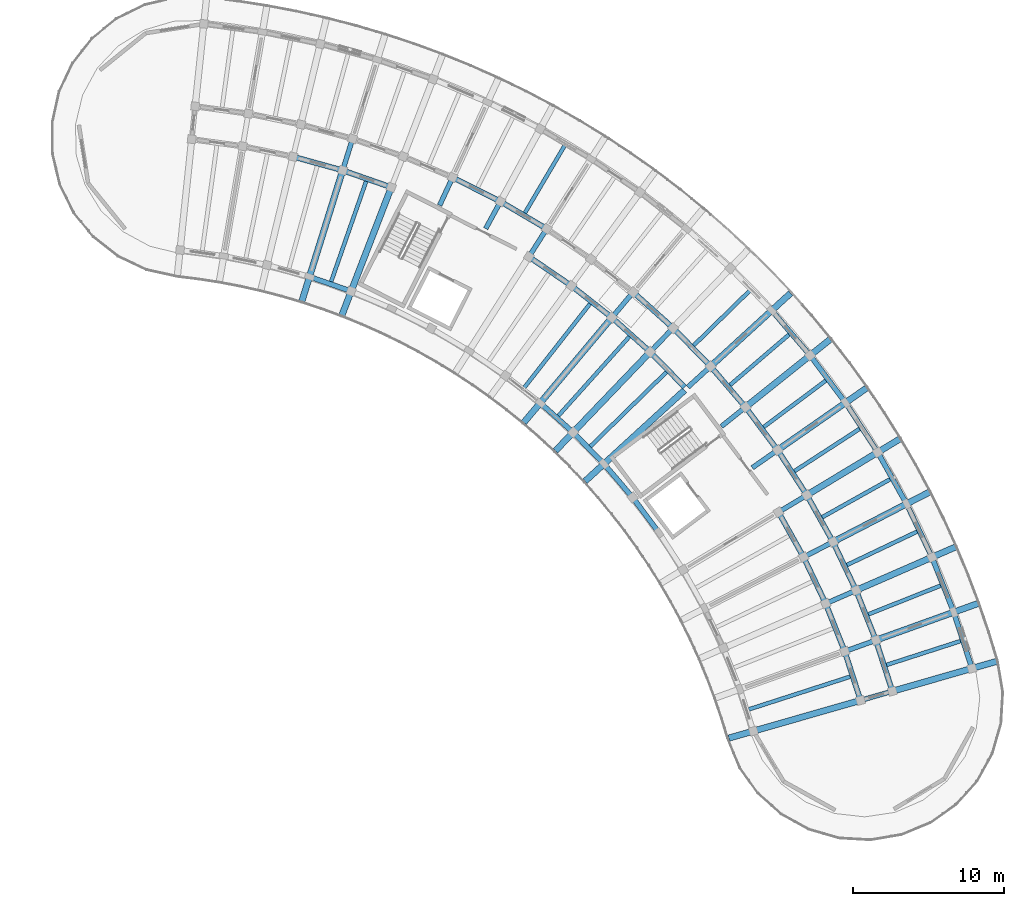
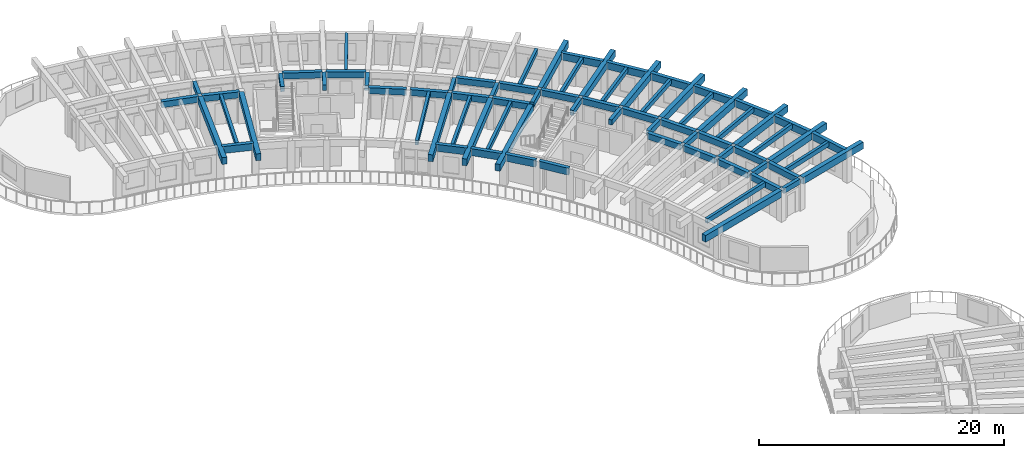
# One storey, part 16 of 69: 75 beams.
"""IFC4 building model written with IfcOpenShell, lengths in metres."""

from ifc_helpers import new_model, si_unit, direction, frame, origin, origin_2d, place, context, subcontext, project, spatial, rectangle, extrude, material, material_profile, profile_set, type_object, element, save


model = new_model("IFC4")

# Units and contexts
model_context = context("Model", 3, precision=1e-05, world=origin(), true_north=direction((0.0, 1.0)))
body_context = subcontext(model_context, "Body", "Model", "MODEL_VIEW")
ifc_project = project(units=[si_unit("LENGTHUNIT", "METRE"), si_unit("AREAUNIT", "SQUARE_METRE"), si_unit("VOLUMEUNIT", "CUBIC_METRE"), si_unit("PLANEANGLEUNIT", "RADIAN"), si_unit("MASSUNIT", "GRAM", prefix="KILO")], contexts=[model_context])

# Site, building, storey
site_placement = place(None, origin())
site = spatial("IfcSite", under=ifc_project, at=site_placement, CompositionType="ELEMENT")
building_placement = place(site_placement, origin())
building = spatial("IfcBuilding", under=site, at=building_placement, Name="Tanwirah Colonnade Gardens", CompositionType="ELEMENT")
storey_placement = place(building_placement, frame((0.0, 0.0, 15.56005859375)))
storey = spatial("IfcBuildingStorey", under=building, at=storey_placement, Name="L04", CompositionType="ELEMENT", Elevation=15.56005859375)

# Beams
ifc_material_1 = material(Name="Precast concrete C40/50", Category="concrete")
ifc_material_profile_1 = material_profile(ifc_material_1, rectangle(XDim=0.320068359375, YDim=0.52001953125, at=origin_2d()), Name="PC-BM 320x520")
ifc_profile_set_1 = profile_set([ifc_material_profile_1], Name="Precast concrete C40/50")
beam_type_1 = type_object("IfcBeamType", Name="BM-PC320", PredefinedType="BEAM", material=ifc_profile_set_1)
for number, where, z_axis, x_axis, name in (
    (1, (170.985595703125, 74.533203125, 2.849853515625), (0.961266538157, 0.275620468433, 0.0), (-0.275620468433, 0.961266538157, 0.0), "Block B L04 Corridor Tie Beam 0"),
    (2, (169.9326171875, 77.79541015625, 2.849853515625), (0.941021664552, 0.338346311999, 0.0), (-0.338346311999, 0.941021664552, 0.0), "Block B L04 Corridor Tie Beam 1"),
    (3, (168.6669921875, 80.981201171875, 2.849853515625), (0.916681481826, 0.399618644306, 0.0), (-0.399618644306, 0.916681481826, 0.0), "Block B L04 Corridor Tie Beam 2"),
):
    element("IfcBeam", number, at=place(storey_placement, frame(where, z_axis=z_axis, x_axis=x_axis)), inside=storey, type_object=beam_type_1, Name=name, PredefinedType="BEAM", context=body_context, shape_type="SweptSolid", body=[
        extrude(rectangle(XDim=0.320068359375, YDim=0.52001953125, at=origin_2d()), origin(), (0.0, 0.0, 1.0), 1.89990234375),
    ])
beam_1_placement = place(storey_placement, frame((167.194091796875, 84.07666015625, 2.849853515625), z_axis=(0.888385730697, 0.459097803844, 0.0), x_axis=(-0.459097803844, 0.888385730697, 0.0)))
element("IfcBeam", 4, at=beam_1_placement, inside=storey, type_object=beam_type_1, Name="Block B L04 Corridor Tie Beam 3", PredefinedType="BEAM", context=body_context, shape_type="SweptSolid", body=[
    extrude(rectangle(XDim=0.320068359375, YDim=0.52001953125, at=origin_2d()), origin(), (0.0, 0.0, 1.0), 1.900146484375),
])
for number, where, z_axis, x_axis, name in (
    (5, (165.520751953125, 87.068359375, 2.849853515625), (0.856174920318, 0.516686080534, 0.0), (-0.516686080534, 0.856174920318, 0.0), "Block B L04 Corridor Tie Beam 4"),
    (6, (163.653564453125, 89.943359375, 2.849853515625), (0.820305001782, 0.571926309983, 0.0), (-0.571926309983, 0.820305001782, 0.0), "Block B L04 Corridor Tie Beam 5"),
    (7, (161.601318359375, 92.68896484375, 2.849853515625), (0.78073089418, 0.624867402633, 0.0), (-0.624867402633, 0.78073089418, 0.0), "Block B L04 Corridor Tie Beam 6"),
    (8, (159.37255859375, 95.29345703125, 2.849853515625), (0.737948361517, 0.674857181732, 0.0), (-0.674857181732, 0.737948361517, 0.0), "Block B L04 Corridor Tie Beam 7"),
):
    element("IfcBeam", number, at=place(storey_placement, frame(where, z_axis=z_axis, x_axis=x_axis)), inside=storey, type_object=beam_type_1, Name=name, PredefinedType="BEAM", context=body_context, shape_type="SweptSolid", body=[
        extrude(rectangle(XDim=0.320068359375, YDim=0.52001953125, at=origin_2d()), origin(), (0.0, 0.0, 1.0), 1.89990234375),
    ])
beam_2_placement = place(storey_placement, frame((156.976806640625, 97.74560546875, 2.849853515625), z_axis=(0.691913735329, 0.721980181766, 0.0), x_axis=(-0.721980181766, 0.691913735329, 0.0)))
element("IfcBeam", 9, at=beam_2_placement, inside=storey, type_object=beam_type_1, Name="Block B L04 Corridor Tie Beam 8", PredefinedType="BEAM", context=body_context, shape_type="SweptSolid", body=[
    extrude(rectangle(XDim=0.320068359375, YDim=0.52001953125, at=origin_2d()), origin(), (0.0, 0.0, 1.0), 1.900146484375),
])
for number, where, z_axis, x_axis, name in (
    (10, (154.425048828125, 100.034423828125, 2.849853515625), (0.642797194343, 0.766036400535, 0.0), (-0.766036400535, 0.642797194343, 0.0), "Block B L04 Corridor Tie Beam 9"),
    (11, (148.89697265625, 104.08349609375, 2.849853515625), (0.536509579595, 0.843894229749, 0.0), (-0.843894229749, 0.536509579595, 0.0), "Block B L04 Corridor Tie Beam 11"),
    (12, (145.945068359375, 105.826171875, 2.849853515625), (0.479707235792, 0.877428611301, 0.0), (-0.877428611301, 0.479707235792, 0.0), "Block B L04 Corridor Tie Beam 12"),
    (13, (142.884765625, 107.37060546875, 2.849853515625), (0.420858322681, 0.90712638162, 0.0), (-0.90712638162, 0.420858322681, 0.0), "Block B L04 Corridor Tie Beam 13"),
    (14, (136.492431640625, 109.838623046875, 2.849853515625), (0.297857918398, 0.954610213882, 0.0), (-0.954610213882, 0.297857918398, 0.0), "Block B L04 Corridor Tie Beam 15"),
):
    element("IfcBeam", number, at=place(storey_placement, frame(where, z_axis=z_axis, x_axis=x_axis)), inside=storey, type_object=beam_type_1, Name=name, PredefinedType="BEAM", context=body_context, shape_type="SweptSolid", body=[
        extrude(rectangle(XDim=0.320068359375, YDim=0.52001953125, at=origin_2d()), origin(), (0.0, 0.0, 1.0), 1.89990234375),
    ])
ifc_material_profile_2 = material_profile(ifc_material_1, rectangle(XDim=0.35009765625, YDim=0.60009765625, at=origin_2d()), Name="PC-BM 350x600")
ifc_profile_set_2 = profile_set([ifc_material_profile_2], Name="Precast concrete C40/50")
beam_type_2 = type_object("IfcBeamType", Name="BM-PC350B", PredefinedType="BEAM", material=ifc_profile_set_2)
beam_3_placement = place(storey_placement, frame((170.79541015625, 74.634521484375, 2.81005859375), z_axis=(-0.307169780148, 0.951654730542, 0.0), x_axis=(-0.951654730542, -0.307169780148, 0.0)))
element("IfcBeam", 15, at=beam_3_placement, inside=storey, type_object=beam_type_2, Name="Block B L04 Circumferential Beam 0-R1", PredefinedType="BEAM", context=body_context, shape_type="SweptSolid", body=[
    extrude(rectangle(XDim=0.35009765625, YDim=0.60009765625, at=origin_2d()), origin(), (0.0, 0.0, 1.0), 3.117919921875),
])
beam_4_placement = place(storey_placement, frame((172.91015625, 75.240966796875, 2.81005859375), z_axis=(-0.307212636327, 0.9516408966, 0.0), x_axis=(-0.9516408966, -0.307212636327, 0.0)))
element("IfcBeam", 16, at=beam_4_placement, inside=storey, type_object=beam_type_2, Name="Block B L04 Circumferential Beam 0-R2", PredefinedType="BEAM", context=body_context, shape_type="SweptSolid", body=[
    extrude(rectangle(XDim=0.35009765625, YDim=0.60009765625, at=origin_2d()), origin(), (0.0, 0.0, 1.0), 3.262939453125),
])
beam_5_placement = place(storey_placement, frame((169.736083984375, 77.884033203125, 2.81005859375), z_axis=(-0.369189105832, 0.929354294193, 0.0), x_axis=(-0.929354294193, -0.369189105832, 0.0)))
element("IfcBeam", 17, at=beam_5_placement, inside=storey, type_object=beam_type_2, Name="Block B L04 Circumferential Beam 1-R1", PredefinedType="BEAM", context=body_context, shape_type="SweptSolid", body=[
    extrude(rectangle(XDim=0.35009765625, YDim=0.60009765625, at=origin_2d()), origin(), (0.0, 0.0, 1.0), 3.117919921875),
])
beam_6_placement = place(storey_placement, frame((171.806396484375, 78.62841796875, 2.81005859375), z_axis=(-0.369209712056, 0.929346108037, 0.0), x_axis=(-0.929346108037, -0.369209712056, 0.0)))
element("IfcBeam", 18, at=beam_6_placement, inside=storey, type_object=beam_type_2, Name="Block B L04 Circumferential Beam 1-R2", PredefinedType="BEAM", context=body_context, shape_type="SweptSolid", body=[
    extrude(rectangle(XDim=0.35009765625, YDim=0.60009765625, at=origin_2d()), origin(), (0.0, 0.0, 1.0), 3.26318359375),
])
beam_7_placement = place(storey_placement, frame((168.465087890625, 81.056640625, 2.81005859375), z_axis=(-0.429620507728, 0.903009534468, 0.0), x_axis=(-0.903009534468, -0.429620507728, 0.0)))
element("IfcBeam", 19, at=beam_7_placement, inside=storey, type_object=beam_type_2, Name="Block B L04 Circumferential Beam 2-R1", PredefinedType="BEAM", context=body_context, shape_type="SweptSolid", body=[
    extrude(rectangle(XDim=0.35009765625, YDim=0.60009765625, at=origin_2d()), origin(), (0.0, 0.0, 1.0), 3.1181640625),
])
beam_8_placement = place(storey_placement, frame((170.481689453125, 81.935791015625, 2.81005859375), z_axis=(-0.4295908638, 0.90302363742, 0.0), x_axis=(-0.90302363742, -0.4295908638, 0.0)))
element("IfcBeam", 20, at=beam_8_placement, inside=storey, type_object=beam_type_2, Name="Block B L04 Circumferential Beam 2-R2", PredefinedType="BEAM", context=body_context, shape_type="SweptSolid", body=[
    extrude(rectangle(XDim=0.35009765625, YDim=0.60009765625, at=origin_2d()), origin(), (0.0, 0.0, 1.0), 3.26318359375),
])
beam_9_placement = place(storey_placement, frame((166.98779296875, 84.138671875, 2.81005859375), z_axis=(-0.488200372352, 0.872731571811, 0.0), x_axis=(-0.872731571811, -0.488200372352, 0.0)))
element("IfcBeam", 21, at=beam_9_placement, inside=storey, type_object=beam_type_2, Name="Block B L04 Circumferential Beam 3-R1", PredefinedType="BEAM", context=body_context, shape_type="SweptSolid", body=[
    extrude(rectangle(XDim=0.35009765625, YDim=0.60009765625, at=origin_2d()), origin(), (0.0, 0.0, 1.0), 3.117919921875),
])
for number, where, z_axis, x_axis, name in (
    (22, (168.942138671875, 85.14892578125, 2.81005859375), (-0.488213717102, 0.87272410671, 0.0), (-0.87272410671, -0.488213717102, 0.0), "Block B L04 Circumferential Beam 3-R2"),
    (23, (167.194091796875, 88.25341796875, 2.81005859375), (-0.544627998385, 0.838677735114, 0.0), (-0.838677735114, -0.544627998385, 0.0), "Block B L04 Circumferential Beam 4-R2"),
    (24, (165.245361328125, 91.236083984375, 2.81005859375), (-0.59871829396, 0.800959677186, 0.0), (-0.800959677186, -0.59871829396, 0.0), "Block B L04 Circumferential Beam 5-R2"),
):
    element("IfcBeam", number, at=place(storey_placement, frame(where, z_axis=z_axis, x_axis=x_axis)), inside=storey, type_object=beam_type_2, Name=name, PredefinedType="BEAM", context=body_context, shape_type="SweptSolid", body=[
        extrude(rectangle(XDim=0.35009765625, YDim=0.60009765625, at=origin_2d()), origin(), (0.0, 0.0, 1.0), 3.262939453125),
    ])
beam_10_placement = place(storey_placement, frame((163.1044921875, 94.083740234375, 2.81005859375), z_axis=(-0.650218192342, 0.759747525398, 0.0), x_axis=(-0.759747525398, -0.650218192342, 0.0)))
element("IfcBeam", 25, at=beam_10_placement, inside=storey, type_object=beam_type_2, Name="Block B L04 Circumferential Beam 6-R2", PredefinedType="BEAM", context=body_context, shape_type="SweptSolid", body=[
    extrude(rectangle(XDim=0.35009765625, YDim=0.60009765625, at=origin_2d()), origin(), (0.0, 0.0, 1.0), 3.26318359375),
])
beam_11_placement = place(storey_placement, frame((159.156982421875, 95.299560546875, 2.81005859375), z_axis=(-0.698837366631, 0.715280598787, 0.0), x_axis=(-0.715280598787, -0.698837366631, 0.0)))
element("IfcBeam", 26, at=beam_11_placement, inside=storey, type_object=beam_type_2, Name="Block B L04 Circumferential Beam 7-R1", PredefinedType="BEAM", context=body_context, shape_type="SweptSolid", body=[
    extrude(rectangle(XDim=0.35009765625, YDim=0.60009765625, at=origin_2d()), origin(), (0.0, 0.0, 1.0), 3.117919921875),
])
beam_12_placement = place(storey_placement, frame((160.780517578125, 96.7841796875, 2.81005859375), z_axis=(-0.698829447339, 0.71528833594, 0.0), x_axis=(-0.71528833594, -0.698829447339, 0.0)))
element("IfcBeam", 27, at=beam_12_placement, inside=storey, type_object=beam_type_2, Name="Block B L04 Circumferential Beam 7-R2", PredefinedType="BEAM", context=body_context, shape_type="SweptSolid", body=[
    extrude(rectangle(XDim=0.35009765625, YDim=0.60009765625, at=origin_2d()), origin(), (0.0, 0.0, 1.0), 3.263427734375),
])
beam_13_placement = place(storey_placement, frame((156.761474609375, 97.7373046875, 2.81005859375), z_axis=(-0.744429866059, 0.667700662363, 0.0), x_axis=(-0.667700662363, -0.744429866059, 0.0)))
element("IfcBeam", 28, at=beam_13_placement, inside=storey, type_object=beam_type_2, Name="Block B L04 Circumferential Beam 8-R1", PredefinedType="BEAM", context=body_context, shape_type="SweptSolid", body=[
    extrude(rectangle(XDim=0.35009765625, YDim=0.60009765625, at=origin_2d()), origin(), (0.0, 0.0, 1.0), 3.1181640625),
])
beam_14_placement = place(storey_placement, frame((158.283447265625, 99.32568359375, 2.81005859375), z_axis=(-0.744409136578, 0.667723773262, 0.0), x_axis=(-0.667723773262, -0.744409136578, 0.0)))
element("IfcBeam", 29, at=beam_14_placement, inside=storey, type_object=beam_type_2, Name="Block B L04 Circumferential Beam 8-R2", PredefinedType="BEAM", context=body_context, shape_type="SweptSolid", body=[
    extrude(rectangle(XDim=0.35009765625, YDim=0.60009765625, at=origin_2d()), origin(), (0.0, 0.0, 1.0), 3.26318359375),
])
beam_15_placement = place(storey_placement, frame((154.21044921875, 100.011962890625, 2.81005859375), z_axis=(-0.78679899272, 0.617209320292, 0.0), x_axis=(-0.617209320292, -0.78679899272, 0.0)))
element("IfcBeam", 30, at=beam_15_placement, inside=storey, type_object=beam_type_2, Name="Block B L04 Circumferential Beam 9-R1", PredefinedType="BEAM", context=body_context, shape_type="SweptSolid", body=[
    extrude(rectangle(XDim=0.35009765625, YDim=0.60009765625, at=origin_2d()), origin(), (0.0, 0.0, 1.0), 3.1181640625),
])
beam_16_placement = place(storey_placement, frame((151.515380859375, 102.113525390625, 2.81005859375), z_axis=(-0.825758291455, 0.564024152047, 0.0), x_axis=(-0.564024152047, -0.825758291455, 0.0)))
element("IfcBeam", 31, at=beam_16_placement, inside=storey, type_object=beam_type_2, Name="Block B L04 Circumferential Beam 10-R1", PredefinedType="BEAM", context=body_context, shape_type="SweptSolid", body=[
    extrude(rectangle(XDim=0.35009765625, YDim=0.60009765625, at=origin_2d()), origin(), (0.0, 0.0, 1.0), 3.118408203125),
])
for number, where, z_axis, x_axis, name in (
    (32, (149.86767578125, 105.8896484375, 2.81005859375), (-0.861134978964, 0.508376384193, 0.0), (-0.508376384193, -0.861134978964, 0.0), "Block B L04 Circumferential Beam 11-R2"),
    (33, (146.794677734375, 107.6923828125, 2.81005859375), (-0.89276014323, 0.450532270387, 0.0), (-0.450532270387, -0.89276014323, 0.0), "Block B L04 Circumferential Beam 12-R2"),
):
    element("IfcBeam", number, at=place(storey_placement, frame(where, z_axis=z_axis, x_axis=x_axis)), inside=storey, type_object=beam_type_2, Name=name, PredefinedType="BEAM", context=body_context, shape_type="SweptSolid", body=[
        extrude(rectangle(XDim=0.35009765625, YDim=0.60009765625, at=origin_2d()), origin(), (0.0, 0.0, 1.0), 3.26318359375),
    ])
beam_17_placement = place(storey_placement, frame((139.53369140625, 108.619384765625, 2.81005859375), z_axis=(-0.944248304077, 0.329234172358, 0.0), x_axis=(-0.329234172358, -0.944248304077, 0.0)))
element("IfcBeam", 34, at=beam_17_placement, inside=storey, type_object=beam_type_2, Name="Block B L04 Circumferential Beam 14-R1", PredefinedType="BEAM", context=body_context, shape_type="SweptSolid", body=[
    extrude(rectangle(XDim=0.35009765625, YDim=0.60009765625, at=origin_2d()), origin(), (0.0, 0.0, 1.0), 3.1181640625),
])
beam_18_placement = place(storey_placement, frame((136.302978515625, 109.7353515625, 2.81005859375), z_axis=(-0.963889412906, 0.266302834548, 0.0), x_axis=(-0.266302834548, -0.963889412906, 0.0)))
element("IfcBeam", 35, at=beam_18_placement, inside=storey, type_object=beam_type_2, Name="Block B L04 Circumferential Beam 15-R1", PredefinedType="BEAM", context=body_context, shape_type="SweptSolid", body=[
    extrude(rectangle(XDim=0.35009765625, YDim=0.60009765625, at=origin_2d()), origin(), (0.0, 0.0, 1.0), 3.117919921875),
])
ifc_material_2 = material(Name="Precast concrete C45/55", Category="concrete")
ifc_material_profile_3 = material_profile(ifc_material_2, rectangle(XDim=0.419921875, YDim=0.679931640625, at=origin_2d()), Name="PC-BM 420x680")
ifc_profile_set_3 = profile_set([ifc_material_profile_3], Name="Precast concrete C45/55")
beam_type_3 = type_object("IfcBeamType", Name="BM-PC420", PredefinedType="BEAM", material=ifc_profile_set_3)
beam_19_placement = place(storey_placement, frame((170.697265625, 74.450439453125, 2.77001953125), z_axis=(-0.961258954076, -0.275646917646, 0.0), x_axis=(0.275646917646, -0.961258954076, 0.0)))
element("IfcBeam", 36, at=beam_19_placement, inside=storey, type_object=beam_type_3, Name="Block B L04 Inner Radial Precast Girder 0", PredefinedType="BEAM", context=body_context, shape_type="SweptSolid", body=[
    extrude(rectangle(XDim=0.419921875, YDim=0.679931640625, at=origin_2d()), origin(), (0.0, 0.0, 1.0), 8.949951171875),
])
for number, where, z_axis, x_axis, name in (
    (37, (173.100341796875, 75.1396484375, 2.77001953125), (0.961266085595, 0.275622046806, 0.0), (-0.275622046806, 0.961266085595, 0.0), "Block B L04 Outer Radial Precast Girder 0"),
    (38, (172.0029296875, 78.539794921875, 2.77001953125), (0.941011841171, 0.338373631917, 0.0), (-0.338373631917, 0.941011841171, 0.0), "Block B L04 Outer Radial Precast Girder 1"),
):
    element("IfcBeam", number, at=place(storey_placement, frame(where, z_axis=z_axis, x_axis=x_axis)), inside=storey, type_object=beam_type_3, Name=name, PredefinedType="BEAM", context=body_context, shape_type="SweptSolid", body=[
        extrude(rectangle(XDim=0.419921875, YDim=0.679931640625, at=origin_2d()), origin(), (0.0, 0.0, 1.0), 7.0498046875),
    ])
beam_20_placement = place(storey_placement, frame((170.68359375, 81.8603515625, 2.77001953125), z_axis=(0.916678725612, 0.399624966702, 0.0), x_axis=(-0.399624966702, 0.916678725612, 0.0)))
element("IfcBeam", 39, at=beam_20_placement, inside=storey, type_object=beam_type_3, Name="Block B L04 Outer Radial Precast Girder 2", PredefinedType="BEAM", context=body_context, shape_type="SweptSolid", body=[
    extrude(rectangle(XDim=0.419921875, YDim=0.679931640625, at=origin_2d()), origin(), (0.0, 0.0, 1.0), 7.050048828125),
])
beam_21_placement = place(storey_placement, frame((169.148681640625, 85.0869140625, 2.77001953125), z_axis=(0.888348690665, 0.459169471758, 0.0), x_axis=(-0.459169471758, 0.888348690665, 0.0)))
element("IfcBeam", 40, at=beam_21_placement, inside=storey, type_object=beam_type_3, Name="Block B L04 Outer Radial Precast Girder 3", PredefinedType="BEAM", context=body_context, shape_type="SweptSolid", body=[
    extrude(rectangle(XDim=0.419921875, YDim=0.679931640625, at=origin_2d()), origin(), (0.0, 0.0, 1.0), 7.0498046875),
])
for number, where, z_axis, x_axis, name in (
    (41, (167.404296875, 88.205078125, 2.77001953125), (0.856157813984, 0.516714425533, 0.0), (-0.516714425533, 0.856157813984, 0.0), "Block B L04 Outer Radial Precast Girder 4"),
    (42, (165.458251953125, 91.20166015625, 2.77001953125), (0.820270158139, 0.571976282433, 0.0), (-0.571976282433, 0.820270158139, 0.0), "Block B L04 Outer Radial Precast Girder 5"),
    (43, (163.319091796875, 94.0634765625, 2.77001953125), (0.780794476885, 0.624787951921, 0.0), (-0.624787951921, 0.780794476885, 0.0), "Block B L04 Outer Radial Precast Girder 6"),
):
    element("IfcBeam", number, at=place(storey_placement, frame(where, z_axis=z_axis, x_axis=x_axis)), inside=storey, type_object=beam_type_3, Name=name, PredefinedType="BEAM", context=body_context, shape_type="SweptSolid", body=[
        extrude(rectangle(XDim=0.419921875, YDim=0.679931640625, at=origin_2d()), origin(), (0.0, 0.0, 1.0), 7.050048828125),
    ])
beam_22_placement = place(storey_placement, frame((159.151123046875, 95.091064453125, 2.77001953125), z_axis=(-0.737937205818, -0.674869380154, 0.0), x_axis=(0.674869380154, -0.737937205818, 0.0)))
element("IfcBeam", 44, at=beam_22_placement, inside=storey, type_object=beam_type_3, Name="Block B L04 Inner Radial Precast Girder 7", PredefinedType="BEAM", context=body_context, shape_type="SweptSolid", body=[
    extrude(rectangle(XDim=0.419921875, YDim=0.679931640625, at=origin_2d()), origin(), (0.0, 0.0, 1.0), 8.949951171875),
])
beam_23_placement = place(storey_placement, frame((160.995849609375, 96.7783203125, 2.77001953125), z_axis=(0.737934199263, 0.674872667663, 0.0), x_axis=(-0.674872667663, 0.737934199263, 0.0)))
element("IfcBeam", 45, at=beam_23_placement, inside=storey, type_object=beam_type_3, Name="Block B L04 Outer Radial Precast Girder 7", PredefinedType="BEAM", context=body_context, shape_type="SweptSolid", body=[
    extrude(rectangle(XDim=0.419921875, YDim=0.679931640625, at=origin_2d()), origin(), (0.0, 0.0, 1.0), 7.050048828125),
])
for number, where, z_axis, x_axis, name in (
    (46, (156.769287109375, 97.52880859375, 2.77001953125), (-0.691860926595, -0.722030787606, 0.0), (0.722030787606, -0.691860926595, 0.0), "Block B L04 Inner Radial Precast Girder 8"),
    (47, (154.232177734375, 99.804443359375, 2.77001953125), (-0.64279407932, -0.766039014406, 0.0), (0.766039014406, -0.64279407932, 0.0), "Block B L04 Inner Radial Precast Girder 9"),
    (48, (139.62109375, 108.43017578125, 2.77001953125), (-0.360155980892, -0.932892099563, 0.0), (0.932892099563, -0.360155980892, 0.0), "Block B L04 Inner Radial Precast Girder 14"),
):
    element("IfcBeam", number, at=place(storey_placement, frame(where, z_axis=z_axis, x_axis=x_axis)), inside=storey, type_object=beam_type_3, Name=name, PredefinedType="BEAM", context=body_context, shape_type="SweptSolid", body=[
        extrude(rectangle(XDim=0.419921875, YDim=0.679931640625, at=origin_2d()), origin(), (0.0, 0.0, 1.0), 8.949951171875),
    ])
beam_24_placement = place(storey_placement, frame((136.403076171875, 109.55224609375, 2.77001953125), z_axis=(-0.29792861283, -0.9545881529, 0.0), x_axis=(0.9545881529, -0.29792861283, 0.0)))
element("IfcBeam", 49, at=beam_24_placement, inside=storey, type_object=beam_type_3, Name="Block B L04 Inner Radial Precast Girder 15", PredefinedType="BEAM", context=body_context, shape_type="SweptSolid", body=[
    extrude(rectangle(XDim=0.419921875, YDim=0.679931640625, at=origin_2d()), origin(), (0.0, 0.0, 1.0), 8.9501953125),
])
ifc_material_profile_4 = material_profile(ifc_material_1, rectangle(XDim=0.260009765625, YDim=0.4599609375, at=origin_2d()), Name="PC-JST 260x460")
ifc_profile_set_4 = profile_set([ifc_material_profile_4], Name="Precast concrete C40/50")
beam_type_4 = type_object("IfcBeamType", Name="JST-PC260", PredefinedType="JOIST", material=ifc_profile_set_4)
beam_25_placement = place(storey_placement, frame((172.551025390625, 76.839599609375, 2.8798828125), z_axis=(0.951656985441, 0.307162794072, 0.0), x_axis=(-0.307162794072, 0.951656985441, 0.0)))
element("IfcBeam", 50, at=beam_25_placement, inside=storey, type_object=beam_type_4, Name="Block B L04 Precast Floor Joist 0", PredefinedType="JOIST", context=body_context, shape_type="SweptSolid", body=[
    extrude(rectangle(XDim=0.260009765625, YDim=0.4599609375, at=origin_2d()), origin(), (0.0, 0.0, 1.0), 5.26025390625),
])
beam_26_placement = place(storey_placement, frame((163.415283203125, 73.890625, 2.8798828125), z_axis=(0.951647858625, 0.307191069489, 0.0), x_axis=(-0.307191069489, 0.951647858625, 0.0)))
element("IfcBeam", 51, at=beam_26_placement, inside=storey, type_object=beam_type_4, Name="Block B L04 Inner Precast Floor Joist 0", PredefinedType="JOIST", context=body_context, shape_type="SweptSolid", body=[
    extrude(rectangle(XDim=0.260009765625, YDim=0.4599609375, at=origin_2d()), origin(), (0.0, 0.0, 1.0), 7.159912109375),
])
beam_27_placement = place(storey_placement, frame((171.3427734375, 80.199951171875, 2.8798828125), z_axis=(0.929357539836, 0.369180935517, 0.0), x_axis=(-0.369180935517, 0.929357539836, 0.0)))
element("IfcBeam", 52, at=beam_27_placement, inside=storey, type_object=beam_type_4, Name="Block B L04 Precast Floor Joist 1", PredefinedType="JOIST", context=body_context, shape_type="SweptSolid", body=[
    extrude(rectangle(XDim=0.260009765625, YDim=0.4599609375, at=origin_2d()), origin(), (0.0, 0.0, 1.0), 5.260009765625),
])
beam_28_placement = place(storey_placement, frame((169.91552734375, 83.473388671875, 2.8798828125), z_axis=(0.903018314862, 0.429602051931, 0.0), x_axis=(-0.429602051931, 0.903018314862, 0.0)))
element("IfcBeam", 53, at=beam_28_placement, inside=storey, type_object=beam_type_4, Name="Block B L04 Precast Floor Joist 2", PredefinedType="JOIST", context=body_context, shape_type="SweptSolid", body=[
    extrude(rectangle(XDim=0.260009765625, YDim=0.4599609375, at=origin_2d()), origin(), (0.0, 0.0, 1.0), 5.26025390625),
])
beam_29_placement = place(storey_placement, frame((168.27587890625, 86.645751953125, 2.8798828125), z_axis=(0.872737031138, 0.488190612855, 0.0), x_axis=(-0.488190612855, 0.872737031138, 0.0)))
element("IfcBeam", 54, at=beam_29_placement, inside=storey, type_object=beam_type_4, Name="Block B L04 Precast Floor Joist 3", PredefinedType="JOIST", context=body_context, shape_type="SweptSolid", body=[
    extrude(rectangle(XDim=0.260009765625, YDim=0.4599609375, at=origin_2d()), origin(), (0.0, 0.0, 1.0), 5.260009765625),
])
beam_30_placement = place(storey_placement, frame((166.4306640625, 89.703125, 2.8798828125), z_axis=(0.83868742622, 0.544613074669, 0.0), x_axis=(-0.544613074669, 0.83868742622, 0.0)))
element("IfcBeam", 55, at=beam_30_placement, inside=storey, type_object=beam_type_4, Name="Block B L04 Precast Floor Joist 4", PredefinedType="JOIST", context=body_context, shape_type="SweptSolid", body=[
    extrude(rectangle(XDim=0.260009765625, YDim=0.4599609375, at=origin_2d()), origin(), (0.0, 0.0, 1.0), 5.26025390625),
])
beam_31_placement = place(storey_placement, frame((164.38818359375, 92.63232421875, 2.8798828125), z_axis=(0.800973647215, 0.598699604533, 0.0), x_axis=(-0.598699604533, 0.800973647215, 0.0)))
element("IfcBeam", 56, at=beam_31_placement, inside=storey, type_object=beam_type_4, Name="Block B L04 Precast Floor Joist 5", PredefinedType="JOIST", context=body_context, shape_type="SweptSolid", body=[
    extrude(rectangle(XDim=0.260009765625, YDim=0.4599609375, at=origin_2d()), origin(), (0.0, 0.0, 1.0), 5.260009765625),
])
beam_32_placement = place(storey_placement, frame((162.156982421875, 95.42041015625, 2.8798828125), z_axis=(0.759770723643, 0.65019108537, 0.0), x_axis=(-0.65019108537, 0.759770723643, 0.0)))
element("IfcBeam", 57, at=beam_32_placement, inside=storey, type_object=beam_type_4, Name="Block B L04 Precast Floor Joist 6", PredefinedType="JOIST", context=body_context, shape_type="SweptSolid", body=[
    extrude(rectangle(XDim=0.260009765625, YDim=0.4599609375, at=origin_2d()), origin(), (0.0, 0.0, 1.0), 5.26025390625),
])
beam_33_placement = place(storey_placement, frame((159.7470703125, 98.0556640625, 2.8798828125), z_axis=(0.715297399369, 0.698820170327, 0.0), x_axis=(-0.698820170327, 0.715297399369, 0.0)))
element("IfcBeam", 58, at=beam_33_placement, inside=storey, type_object=beam_type_4, Name="Block B L04 Precast Floor Joist 7", PredefinedType="JOIST", context=body_context, shape_type="SweptSolid", body=[
    extrude(rectangle(XDim=0.260009765625, YDim=0.4599609375, at=origin_2d()), origin(), (0.0, 0.0, 1.0), 5.260009765625),
])
beam_34_placement = place(storey_placement, frame((152.88037109375, 91.346923828125, 2.8798828125), z_axis=(0.715276680509, 0.698841377081, 0.0), x_axis=(-0.698841377081, 0.715276680509, 0.0)))
element("IfcBeam", 59, at=beam_34_placement, inside=storey, type_object=beam_type_4, Name="Block B L04 Inner Precast Floor Joist 7", PredefinedType="JOIST", context=body_context, shape_type="SweptSolid", body=[
    extrude(rectangle(XDim=0.260009765625, YDim=0.4599609375, at=origin_2d()), origin(), (0.0, 0.0, 1.0), 7.159912109375),
])
beam_35_placement = place(storey_placement, frame((150.7587890625, 93.379638671875, 2.8798828125), z_axis=(0.667688404274, 0.744440860511, 0.0), x_axis=(-0.744440860511, 0.667688404274, 0.0)))
element("IfcBeam", 60, at=beam_35_placement, inside=storey, type_object=beam_type_4, Name="Block B L04 Inner Precast Floor Joist 8", PredefinedType="JOIST", context=body_context, shape_type="SweptSolid", body=[
    extrude(rectangle(XDim=0.260009765625, YDim=0.4599609375, at=origin_2d()), origin(), (0.0, 0.0, 1.0), 7.16015625),
])
beam_36_placement = place(storey_placement, frame((148.508056640625, 95.268310546875, 2.8798828125), z_axis=(0.617202438917, 0.786804390808, 0.0), x_axis=(-0.786804390808, 0.617202438917, 0.0)))
element("IfcBeam", 61, at=beam_36_placement, inside=storey, type_object=beam_type_4, Name="Block B L04 Inner Precast Floor Joist 9", PredefinedType="JOIST", context=body_context, shape_type="SweptSolid", body=[
    extrude(rectangle(XDim=0.260009765625, YDim=0.4599609375, at=origin_2d()), origin(), (0.0, 0.0, 1.0), 7.159912109375),
])
beam_37_placement = place(storey_placement, frame((148.53857421875, 106.84765625, 2.8798828125), z_axis=(0.508360236823, 0.86114451146, 0.0), x_axis=(-0.86114451146, 0.508360236823, 0.0)))
element("IfcBeam", 62, at=beam_37_placement, inside=storey, type_object=beam_type_4, Name="Block B L04 Precast Floor Joist 11", PredefinedType="JOIST", context=body_context, shape_type="SweptSolid", body=[
    extrude(rectangle(XDim=0.260009765625, YDim=0.4599609375, at=origin_2d()), origin(), (0.0, 0.0, 1.0), 5.26025390625),
])
beam_38_placement = place(storey_placement, frame((135.673828125, 102.28515625, 2.8798828125), z_axis=(0.329250558112, 0.944242590642, 0.0), x_axis=(-0.944242590642, 0.329250558112, 0.0)))
element("IfcBeam", 63, at=beam_38_placement, inside=storey, type_object=beam_type_4, Name="Block B L04 Inner Precast Floor Joist 14", PredefinedType="JOIST", context=body_context, shape_type="SweptSolid", body=[
    extrude(rectangle(XDim=0.260009765625, YDim=0.4599609375, at=origin_2d()), origin(), (0.0, 0.0, 1.0), 7.159912109375),
])
ifc_material_profile_5 = material_profile(ifc_material_1, rectangle(XDim=0.3349609375, YDim=0.695068359375, at=origin_2d()), Name="PC-SP 335x695")
ifc_profile_set_5 = profile_set([ifc_material_profile_5], Name="Precast concrete C40/50")
beam_type_5 = type_object("IfcBeamType", Name="SP-PC300", PredefinedType="SPANDREL", material=ifc_profile_set_5)
for number, where, z_axis, x_axis, name in (
    (64, (178.197021484375, 76.7568359375, 2.762451171875), (-0.307183773768, 0.951650213647, 0.0), (-0.951650213647, -0.307183773768, 0.0), "Block B L04 Circumferential Beam 0-R3"),
    (65, (176.98193359375, 80.489501953125, 2.762451171875), (-0.369195460985, 0.929351769562, 0.0), (-0.929351769562, -0.369195460985, 0.0), "Block B L04 Circumferential Beam 1-R3"),
    (66, (175.5234375, 84.1337890625, 2.762451171875), (-0.429593766142, 0.903022256698, 0.0), (-0.903022256698, -0.429593766142, 0.0), "Block B L04 Circumferential Beam 2-R3"),
    (67, (173.828125, 87.67431640625, 2.762451171875), (-0.488236312193, 0.872711466326, 0.0), (-0.872711466326, -0.488236312193, 0.0), "Block B L04 Circumferential Beam 3-R3"),
    (68, (171.903076171875, 91.09521484375, 2.762451171875), (-0.544621436184, 0.838681996497, 0.0), (-0.838681996497, -0.544621436184, 0.0), "Block B L04 Circumferential Beam 4-R3"),
):
    element("IfcBeam", number, at=place(storey_placement, frame(where, z_axis=z_axis, x_axis=x_axis)), inside=storey, type_object=beam_type_5, Name=name, PredefinedType="SPANDREL", context=body_context, shape_type="SweptSolid", body=[
        extrude(rectangle(XDim=0.3349609375, YDim=0.695068359375, at=origin_2d()), origin(), (0.0, 0.0, 1.0), 3.625732421875),
    ])
beam_39_placement = place(storey_placement, frame((157.370849609375, 85.744873046875, 2.762451171875), z_axis=(-0.598662613551, 0.80100129534, 0.0), x_axis=(-0.80100129534, -0.598662613551, 0.0)))
element("IfcBeam", 69, at=beam_39_placement, inside=storey, type_object=beam_type_5, Name="Block B L04 Circumferential Beam 5-R0", PredefinedType="SPANDREL", context=body_context, shape_type="SweptSolid", body=[
    extrude(rectangle(XDim=0.3349609375, YDim=0.695068359375, at=origin_2d()), origin(), (0.0, 0.0, 1.0), 2.63037109375),
])
beam_40_placement = place(storey_placement, frame((169.7568359375, 94.382080078125, 2.762451171875), z_axis=(-0.598695554058, 0.800976674786, 0.0), x_axis=(-0.800976674786, -0.598695554058, 0.0)))
element("IfcBeam", 70, at=beam_40_placement, inside=storey, type_object=beam_type_5, Name="Block B L04 Circumferential Beam 5-R3", PredefinedType="SPANDREL", context=body_context, shape_type="SweptSolid", body=[
    extrude(rectangle(XDim=0.3349609375, YDim=0.695068359375, at=origin_2d()), origin(), (0.0, 0.0, 1.0), 3.625732421875),
])
beam_41_placement = place(storey_placement, frame((155.60888671875, 88.0859375, 2.762451171875), z_axis=(-0.650217875778, 0.759747796323, 0.0), x_axis=(-0.759747796323, -0.650217875778, 0.0)))
element("IfcBeam", 71, at=beam_41_placement, inside=storey, type_object=beam_type_5, Name="Block B L04 Circumferential Beam 6-R0", PredefinedType="SPANDREL", context=body_context, shape_type="SweptSolid", body=[
    extrude(rectangle(XDim=0.3349609375, YDim=0.695068359375, at=origin_2d()), origin(), (0.0, 0.0, 1.0), 2.630126953125),
])
beam_42_placement = place(storey_placement, frame((167.398681640625, 97.52001953125, 2.762451171875), z_axis=(-0.650170105297, 0.759788677317, 0.0), x_axis=(-0.759788677317, -0.650170105297, 0.0)))
element("IfcBeam", 72, at=beam_42_placement, inside=storey, type_object=beam_type_5, Name="Block B L04 Circumferential Beam 6-R3", PredefinedType="SPANDREL", context=body_context, shape_type="SweptSolid", body=[
    extrude(rectangle(XDim=0.3349609375, YDim=0.695068359375, at=origin_2d()), origin(), (0.0, 0.0, 1.0), 3.625732421875),
])
beam_43_placement = place(storey_placement, frame((153.6962890625, 90.305419921875, 2.762451171875), z_axis=(-0.698844462704, 0.715273665772, 0.0), x_axis=(-0.715273665772, -0.698844462704, 0.0)))
element("IfcBeam", 73, at=beam_43_placement, inside=storey, type_object=beam_type_5, Name="Block B L04 Circumferential Beam 7-R0", PredefinedType="SPANDREL", context=body_context, shape_type="SweptSolid", body=[
    extrude(rectangle(XDim=0.3349609375, YDim=0.695068359375, at=origin_2d()), origin(), (0.0, 0.0, 1.0), 2.630126953125),
])
for number, where, z_axis, x_axis, name in (
    (74, (151.6416015625, 92.394287109375, 2.762451171875), (-0.744400790288, 0.667733077972, 0.0), (-0.667733077972, -0.744400790288, 0.0), "Block B L04 Circumferential Beam 8-R0"),
    (75, (136.8681640625, 101.716064453125, 2.762451171875), (-0.944249847334, 0.32922974624, 0.0), (-0.32922974624, -0.944249847334, 0.0), "Block B L04 Circumferential Beam 14-R0"),
):
    element("IfcBeam", number, at=place(storey_placement, frame(where, z_axis=z_axis, x_axis=x_axis)), inside=storey, type_object=beam_type_5, Name=name, PredefinedType="SPANDREL", context=body_context, shape_type="SweptSolid", body=[
        extrude(rectangle(XDim=0.3349609375, YDim=0.695068359375, at=origin_2d()), origin(), (0.0, 0.0, 1.0), 2.63037109375),
    ])

save(model, "model.ifc")
